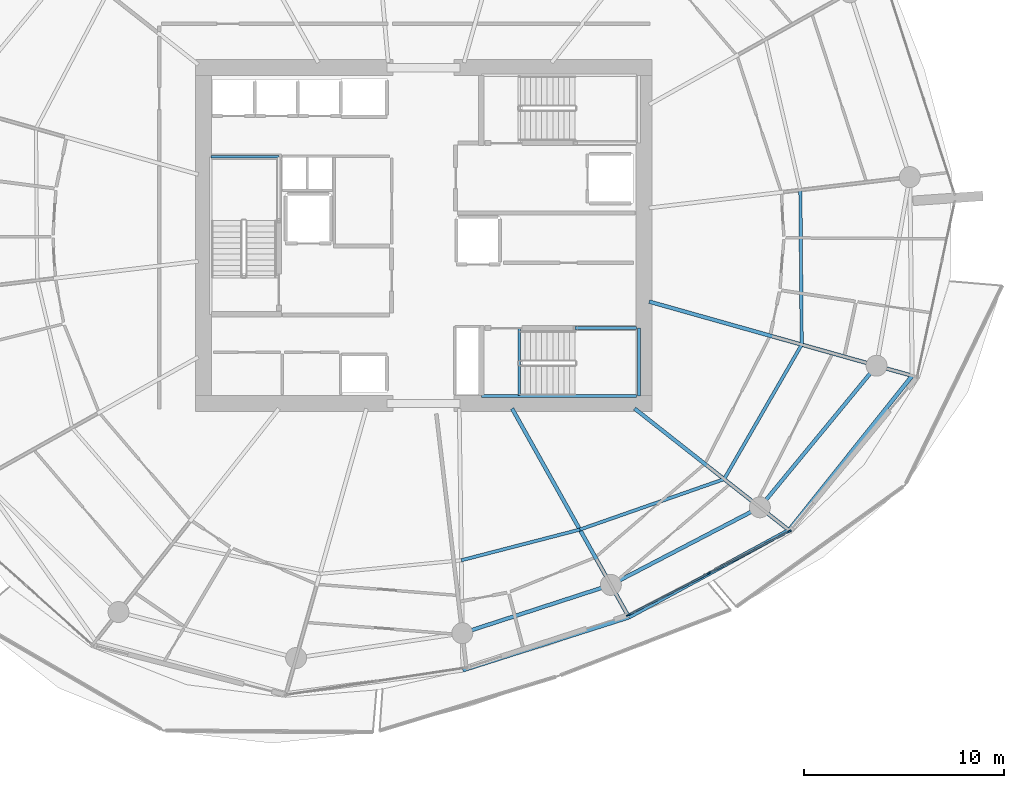
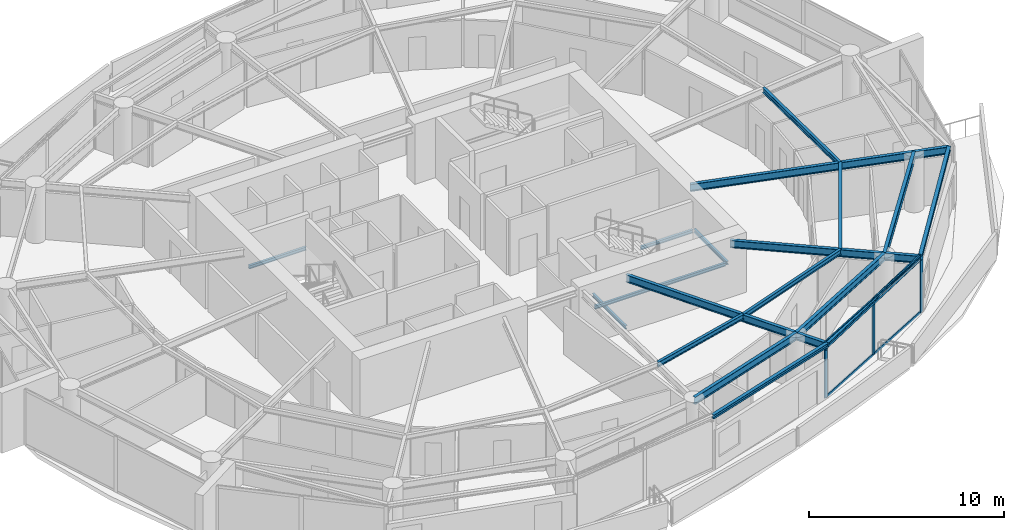
# One storey, part 6 of 20: 18 beams, 7 members, 1 element without a shape of its own.
"""IFC4 building model written with IfcOpenShell, lengths in metres."""

from ifc_helpers import new_model, si_unit, direction, frame, origin, origin_2d, place, context, subcontext, project, spatial, rectangle, i_section, extrude, material, layer, layer_set, material_profile, profile_set, type_object, element, aggregate, save


model = new_model("IFC4")

# Units and contexts
model_context = context("Model", 3, precision=1e-05, world=origin(), true_north=direction((0.0, 1.0)))
body_context = subcontext(model_context, "Body", "Model", "MODEL_VIEW")
ifc_project = project(units=[si_unit("LENGTHUNIT", "METRE"), si_unit("AREAUNIT", "SQUARE_METRE"), si_unit("VOLUMEUNIT", "CUBIC_METRE"), si_unit("PLANEANGLEUNIT", "RADIAN"), si_unit("MASSUNIT", "GRAM", prefix="KILO")], contexts=[model_context])

# Site, building, storey
site_placement = place(None, origin())
site = spatial("IfcSite", under=ifc_project, at=site_placement, CompositionType="ELEMENT")
building_placement = place(site_placement, origin())
building = spatial("IfcBuilding", under=site, at=building_placement, Name="Kazma Halo Residences", CompositionType="ELEMENT")
storey_placement = place(building_placement, frame((0.0, 0.0, 150.300048828125)))
storey = spatial("IfcBuildingStorey", under=building, at=storey_placement, Name="L37", CompositionType="ELEMENT", Elevation=150.300048828125)

# Beams
ifc_material_1 = material(Name="Steel S355", Category="steel")
ifc_material_profile_1 = material_profile(ifc_material_1, i_section(OverallWidth=0.201904296875, OverallDepth=0.2470703125, WebThickness=0.00732421875, FlangeThickness=0.010986328125, FilletRadius=0.011962890625, at=origin_2d()), Name="W250x49.1")
ifc_profile_set_1 = profile_set([ifc_material_profile_1], Name="Steel S355")
beam_type_1 = type_object("IfcBeamType", Name="BM-BAL-CANT", PredefinedType="BEAM", material=ifc_profile_set_1)
beam_1_placement = place(storey_placement, frame((50.37841796875, 20.269287109375, 3.37646484375), z_axis=(0.952724066304, 0.303836886315, 0.0), x_axis=(-0.303836886315, 0.952724066304, 0.0)))
element("IfcBeam", 1, at=beam_1_placement, inside=storey, type_object=beam_type_1, Name="L37 wave-balcony tie beam 12", PredefinedType="BEAM", context=body_context, shape_type="SweptSolid", body=[
    extrude(i_section(OverallWidth=0.201904296875, OverallDepth=0.2470703125, WebThickness=0.00732421875, FlangeThickness=0.010986328125, FilletRadius=0.011962890625, at=origin_2d()), origin(), (0.0, 0.0, 1.0), 8.719970703125),
])
beam_2_placement = place(storey_placement, frame((58.68603515625, 22.918701171875, 3.37646484375), z_axis=(0.878572913315, 0.477608245312, 0.0), x_axis=(-0.477608245312, 0.878572913315, 0.0)))
element("IfcBeam", 2, at=beam_2_placement, inside=storey, type_object=beam_type_1, Name="L37 wave-balcony tie beam 13", PredefinedType="BEAM", context=body_context, shape_type="SweptSolid", body=[
    extrude(i_section(OverallWidth=0.201904296875, OverallDepth=0.2470703125, WebThickness=0.00732421875, FlangeThickness=0.010986328125, FilletRadius=0.011962890625, at=origin_2d()), origin(), (0.0, 0.0, 1.0), 9.107177734375),
])
beam_3_placement = place(storey_placement, frame((66.687255859375, 27.268310546875, 3.37646484375), z_axis=(0.623742400336, 0.781629975131, 0.0), x_axis=(-0.781629975131, 0.623742400336, 0.0)))
element("IfcBeam", 3, at=beam_3_placement, inside=storey, type_object=beam_type_1, Name="L37 wave-balcony tie beam 14", PredefinedType="BEAM", context=body_context, shape_type="SweptSolid", body=[
    extrude(i_section(OverallWidth=0.201904296875, OverallDepth=0.2470703125, WebThickness=0.00732421875, FlangeThickness=0.010986328125, FilletRadius=0.011962890625, at=origin_2d()), origin(), (0.0, 0.0, 1.0), 9.880859375),
])
ifc_material_profile_2 = material_profile(ifc_material_1, i_section(OverallWidth=0.18994140625, OverallDepth=0.45703125, WebThickness=0.009033203125, FlangeThickness=0.014404296875, FilletRadius=0.01611328125, at=origin_2d()), Name="W460x74")
ifc_profile_set_2 = profile_set([ifc_material_profile_2], Name="Steel S355")
beam_type_2 = type_object("IfcBeamType", Name="BM-RAD-W460", PredefinedType="BEAM", material=ifc_profile_set_2)
beam_4_placement = place(storey_placement, frame((52.84423828125, 33.35009765625, 3.271484375), z_axis=(0.488617048735, -0.872498355119, 0.0), x_axis=(0.872498355119, 0.488617048735, 0.0)))
element("IfcBeam", 4, at=beam_4_placement, inside=storey, type_object=beam_type_2, Name="L37 radial floor beam 13", PredefinedType="BEAM", context=body_context, shape_type="SweptSolid", body=[
    extrude(i_section(OverallWidth=0.18994140625, OverallDepth=0.45703125, WebThickness=0.009033203125, FlangeThickness=0.014404296875, FilletRadius=0.01611328125, at=origin_2d()), origin(), (0.0, 0.0, 1.0), 11.955810546875),
])
beam_5_placement = place(storey_placement, frame((58.972412109375, 33.35009765625, 3.271484375), z_axis=(0.785322142498, -0.619087338347, 0.0), x_axis=(0.619087338347, 0.785322142498, 0.0)))
element("IfcBeam", 5, at=beam_5_placement, inside=storey, type_object=beam_type_2, Name="L37 radial floor beam 14", PredefinedType="BEAM", context=body_context, shape_type="SweptSolid", body=[
    extrude(i_section(OverallWidth=0.18994140625, OverallDepth=0.45703125, WebThickness=0.009033203125, FlangeThickness=0.014404296875, FilletRadius=0.01611328125, at=origin_2d()), origin(), (0.0, 0.0, 1.0), 9.82373046875),
])
beam_6_placement = place(storey_placement, frame((59.699951171875, 38.7001953125, 3.271484375), z_axis=(0.962456259321, -0.271436823024, 0.0), x_axis=(0.271436823024, 0.962456259321, 0.0)))
element("IfcBeam", 6, at=beam_6_placement, inside=storey, type_object=beam_type_2, Name="L37 radial floor beam 15", PredefinedType="BEAM", context=body_context, shape_type="SweptSolid", body=[
    extrude(i_section(OverallWidth=0.18994140625, OverallDepth=0.45703125, WebThickness=0.009033203125, FlangeThickness=0.014404296875, FilletRadius=0.01611328125, at=origin_2d()), origin(), (0.0, 0.0, 1.0), 13.663330078125),
])
ifc_material_profile_3 = material_profile(ifc_material_1, i_section(OverallWidth=0.1650390625, OverallDepth=0.31005859375, WebThickness=0.005859375, FlangeThickness=0.009765625, FilletRadius=0.011962890625, at=origin_2d()), Name="W310x38.7")
ifc_profile_set_3 = profile_set([ifc_material_profile_3], Name="Steel S355")
beam_type_3 = type_object("IfcBeamType", Name="BM-SEC-W310B", PredefinedType="JOIST", material=ifc_profile_set_3)
beam_7_placement = place(storey_placement, frame((50.303466796875, 25.76318359375, 3.344970703125), z_axis=(0.968017337658, 0.250883307524, 0.0), x_axis=(-0.250883307524, 0.968017337658, 0.0)))
element("IfcBeam", 7, at=beam_7_placement, inside=storey, type_object=beam_type_3, Name="L37 circumferential floor joist 12", PredefinedType="JOIST", context=body_context, shape_type="SweptSolid", body=[
    extrude(i_section(OverallWidth=0.1650390625, OverallDepth=0.31005859375, WebThickness=0.005859375, FlangeThickness=0.009765625, FilletRadius=0.011962890625, at=origin_2d()), origin(), (0.0, 0.0, 1.0), 6.124755859375),
])
beam_8_placement = place(storey_placement, frame((56.232421875, 27.2998046875, 3.344970703125), z_axis=(0.943956421223, 0.330070105935, 0.0), x_axis=(-0.330070105935, 0.943956421223, 0.0)))
element("IfcBeam", 8, at=beam_8_placement, inside=storey, type_object=beam_type_3, Name="L37 circumferential floor joist 13", PredefinedType="JOIST", context=body_context, shape_type="SweptSolid", body=[
    extrude(i_section(OverallWidth=0.1650390625, OverallDepth=0.31005859375, WebThickness=0.005859375, FlangeThickness=0.009765625, FilletRadius=0.011962890625, at=origin_2d()), origin(), (0.0, 0.0, 1.0), 7.642822265625),
])
beam_9_placement = place(storey_placement, frame((63.447021484375, 29.822509765625, 3.344970703125), z_axis=(0.499666203496, 0.866218035533, 0.0), x_axis=(-0.866218035533, 0.499666203496, 0.0)))
element("IfcBeam", 9, at=beam_9_placement, inside=storey, type_object=beam_type_3, Name="L37 circumferential floor joist 14", PredefinedType="JOIST", context=body_context, shape_type="SweptSolid", body=[
    extrude(i_section(OverallWidth=0.1650390625, OverallDepth=0.31005859375, WebThickness=0.005859375, FlangeThickness=0.009765625, FilletRadius=0.011962890625, at=origin_2d()), origin(), (0.0, 0.0, 1.0), 7.765380859375),
])
beam_10_placement = place(storey_placement, frame((67.3271484375, 36.549072265625, 3.344970703125), z_axis=(-0.008779348348, 0.999961460779, 0.0), x_axis=(-0.999961460779, -0.008779348348, 0.0)))
element("IfcBeam", 10, at=beam_10_placement, inside=storey, type_object=beam_type_3, Name="L37 circumferential floor joist 15", PredefinedType="JOIST", context=body_context, shape_type="SweptSolid", body=[
    extrude(i_section(OverallWidth=0.1650390625, OverallDepth=0.31005859375, WebThickness=0.005859375, FlangeThickness=0.009765625, FilletRadius=0.011962890625, at=origin_2d()), origin(), (0.0, 0.0, 1.0), 7.730712890625),
])
ifc_material_profile_4 = material_profile(ifc_material_1, i_section(OverallWidth=0.18994140625, OverallDepth=0.45703125, WebThickness=0.009033203125, FlangeThickness=0.014404296875, FilletRadius=0.01611328125, at=origin_2d()), Name="W460x74")
ifc_profile_set_4 = profile_set([ifc_material_profile_4], Name="Steel S355")
beam_type_4 = type_object("IfcBeamType", Name="BM-SPN-W460", PredefinedType="BEAM", material=ifc_profile_set_4)
beam_11_placement = place(storey_placement, frame((50.35302734375, 22.118896484375, 3.271484375), z_axis=(0.95105634578, 0.309017519167, 0.0), x_axis=(-0.309017519167, 0.95105634578, 0.0)))
element("IfcBeam", 11, at=beam_11_placement, inside=storey, type_object=beam_type_4, Name="L37 perimeter ring beam 12", PredefinedType="BEAM", context=body_context, shape_type="SweptSolid", body=[
    extrude(i_section(OverallWidth=0.18994140625, OverallDepth=0.45703125, WebThickness=0.009033203125, FlangeThickness=0.014404296875, FilletRadius=0.01611328125, at=origin_2d()), origin(), (0.0, 0.0, 1.0), 7.811279296875),
])
beam_12_placement = place(storey_placement, frame((57.781982421875, 24.53271484375, 3.271484375), z_axis=(0.886943099021, 0.461878706046, 0.0), x_axis=(-0.461878706046, 0.886943099021, 0.0)))
element("IfcBeam", 12, at=beam_12_placement, inside=storey, type_object=beam_type_4, Name="L37 perimeter ring beam 13", PredefinedType="BEAM", context=body_context, shape_type="SweptSolid", body=[
    extrude(i_section(OverallWidth=0.18994140625, OverallDepth=0.45703125, WebThickness=0.009033203125, FlangeThickness=0.014404296875, FilletRadius=0.01611328125, at=origin_2d()), origin(), (0.0, 0.0, 1.0), 8.40234375),
])
beam_13_placement = place(storey_placement, frame((65.234375, 28.41357421875, 3.271484375), z_axis=(0.636018723515, 0.771673624882, 0.0), x_axis=(-0.771673624882, 0.636018723515, 0.0)))
element("IfcBeam", 13, at=beam_13_placement, inside=storey, type_object=beam_type_4, Name="L37 perimeter ring beam 14", PredefinedType="BEAM", context=body_context, shape_type="SweptSolid", body=[
    extrude(i_section(OverallWidth=0.18994140625, OverallDepth=0.45703125, WebThickness=0.009033203125, FlangeThickness=0.014404296875, FilletRadius=0.01611328125, at=origin_2d()), origin(), (0.0, 0.0, 1.0), 9.175048828125),
])
ifc_material_profile_5 = material_profile(ifc_material_1, i_section(OverallWidth=0.133056640625, OverallDepth=0.20703125, WebThickness=0.005859375, FlangeThickness=0.00830078125, FilletRadius=0.010009765625, at=origin_2d()), Name="W200x26.6")
ifc_profile_set_5 = profile_set([ifc_material_profile_5], Name="Steel S355")
beam_type_5 = type_object("IfcBeamType", Name="BM-TRIM-W200", PredefinedType="BEAM", material=ifc_profile_set_5)
beam_14_placement = place(storey_placement, frame((53.199951171875, 34.0, -0.360107421875), z_axis=(0.0, 1.0, 0.0), x_axis=(-1.0, 0.0, 0.0)))
element("IfcBeam", 14, at=beam_14_placement, inside=storey, type_object=beam_type_5, Name="L37 ST-03 floor landing support beam", PredefinedType="BEAM", context=body_context, shape_type="SweptSolid", body=[
    extrude(i_section(OverallWidth=0.133056640625, OverallDepth=0.20703125, WebThickness=0.005859375, FlangeThickness=0.00830078125, FilletRadius=0.010009765625, at=origin_2d()), origin(), (0.0, 0.0, 1.0), 3.3798828125),
])
beam_15_placement = place(storey_placement, frame((37.780029296875, 45.93994140625, 1.570068359375), z_axis=(1.0, 0.0, 0.0), x_axis=(0.0, 1.0, 0.0)))
element("IfcBeam", 15, at=beam_15_placement, inside=storey, type_object=beam_type_5, Name="L37 ST-01 landing end wall ledger", PredefinedType="BEAM", context=body_context, shape_type="SweptSolid", body=[
    extrude(i_section(OverallWidth=0.133056640625, OverallDepth=0.20703125, WebThickness=0.005859375, FlangeThickness=0.00830078125, FilletRadius=0.010009765625, at=origin_2d()), origin(), (0.0, 0.0, 1.0), 3.39990234375),
])
beam_16_placement = place(storey_placement, frame((51.31005859375, 33.97998046875, 1.570068359375), z_axis=(1.0, 0.0, 0.0), x_axis=(0.0, 1.0, 0.0)))
element("IfcBeam", 16, at=beam_16_placement, inside=storey, type_object=beam_type_5, Name="L37 ST-03 landing south wall ledger", PredefinedType="BEAM", context=body_context, shape_type="SweptSolid", body=[
    extrude(i_section(OverallWidth=0.133056640625, OverallDepth=0.20703125, WebThickness=0.005859375, FlangeThickness=0.00830078125, FilletRadius=0.010009765625, at=origin_2d()), origin(), (0.0, 0.0, 1.0), 7.760009765625),
])
beam_17_placement = place(storey_placement, frame((56.0, 37.3798828125, 1.570068359375), z_axis=(1.0, 0.0, 0.0), x_axis=(0.0, 1.0, 0.0)))
element("IfcBeam", 17, at=beam_17_placement, inside=storey, type_object=beam_type_5, Name="L37 ST-03 landing north wall ledger", PredefinedType="BEAM", context=body_context, shape_type="SweptSolid", body=[
    extrude(i_section(OverallWidth=0.133056640625, OverallDepth=0.20703125, WebThickness=0.005859375, FlangeThickness=0.00830078125, FilletRadius=0.010009765625, at=origin_2d()), origin(), (0.0, 0.0, 1.0), 3.070068359375),
])
beam_18_placement = place(storey_placement, frame((59.18994140625, 33.97998046875, 1.570068359375), z_axis=(0.0, 1.0, 0.0), x_axis=(-1.0, 0.0, 0.0)))
element("IfcBeam", 18, at=beam_18_placement, inside=storey, type_object=beam_type_5, Name="L37 ST-03 landing end wall ledger", PredefinedType="BEAM", context=body_context, shape_type="SweptSolid", body=[
    extrude(i_section(OverallWidth=0.133056640625, OverallDepth=0.20703125, WebThickness=0.005859375, FlangeThickness=0.00830078125, FilletRadius=0.010009765625, at=origin_2d()), origin(), (0.0, 0.0, 1.0), 3.39990234375),
])

# Curtain wall, members
ifc_material_2 = material(Name="Aluminium AW-6063 T6 and Triple-Silver Low-E Glass", Category="aluminium")
ifc_layer = layer(ifc_material_2, 0.219970703125)
ifc_layer_set = layer_set([ifc_layer], Name="Aluminium AW-6063 T6 and Triple-Silver Low-E Glass")
curtain_wall_type = type_object("IfcCurtainWallType", Name="CW-SYS-4", PredefinedType="NOTDEFINED", material=ifc_layer_set)
curtain_wall_placement = place(storey_placement, origin())
curtain_wall = element("IfcCurtainWall", 19, at=curtain_wall_placement, inside=storey, type_object=curtain_wall_type, Name="L37 unitised curtain wall B13", PredefinedType="NOTDEFINED")
ifc_material_3 = material(Name="Aluminium AW-6063 T6", Category="aluminium")
ifc_material_profile_6 = material_profile(ifc_material_3, rectangle(XDim=0.074951171875, YDim=0.219970703125, at=origin_2d()), Name="CWM-75x220")
ifc_profile_set_6 = profile_set([ifc_material_profile_6], Name="Aluminium AW-6063 T6")
member_type_1 = type_object("IfcMemberType", Name="CW-SYS-4-MUL", PredefinedType="MULLION", material=ifc_profile_set_6)
member_1_placement = place(storey_placement, frame((58.66552734375, 23.0322265625, 0.0), z_axis=(0.0, 0.0, 1.0), x_axis=(-0.460837484552, 0.887484542306, 0.0)))
member_1 = element("IfcMember", 20, at=member_1_placement, type_object=member_type_1, Name="CWS-4 mullion 1", PredefinedType="MULLION", context=body_context, shape_type="SweptSolid", body=[
    extrude(rectangle(XDim=0.074951171875, YDim=0.219970703125, at=origin_2d()), origin(), (0.0, 0.0, 1.0), 3.5),
])
member_2_placement = place(storey_placement, frame((62.686767578125, 25.120361328125, 0.0), z_axis=(0.0, 0.0, 1.0), x_axis=(-0.460837484552, 0.887484542306, 0.0)))
member_2 = element("IfcMember", 21, at=member_2_placement, type_object=member_type_1, Name="CWS-4 mullion 2", PredefinedType="MULLION", context=body_context, shape_type="SweptSolid", body=[
    extrude(rectangle(XDim=0.074951171875, YDim=0.219970703125, at=origin_2d()), origin(), (0.0, 0.0, 1.0), 3.5),
])
member_3_placement = place(storey_placement, frame((66.7080078125, 27.208251953125, 0.0), z_axis=(0.0, 0.0, 1.0), x_axis=(-0.460837484552, 0.887484542306, 0.0)))
member_3 = element("IfcMember", 22, at=member_3_placement, type_object=member_type_1, Name="CWS-4 mullion 3", PredefinedType="MULLION", context=body_context, shape_type="SweptSolid", body=[
    extrude(rectangle(XDim=0.074951171875, YDim=0.219970703125, at=origin_2d()), origin(), (0.0, 0.0, 1.0), 3.5),
])
ifc_material_profile_7 = material_profile(ifc_material_3, rectangle(XDim=0.074951171875, YDim=0.1650390625, at=origin_2d()), Name="CWT-75x165")
ifc_profile_set_7 = profile_set([ifc_material_profile_7], Name="Aluminium AW-6063 T6")
member_type_2 = type_object("IfcMemberType", Name="CW-SYS-4-TRN", PredefinedType="USERDEFINED", material=ifc_profile_set_7)
member_4_placement = place(storey_placement, frame((58.69873046875, 23.049560546875, 0.037353515625), z_axis=(0.887484872803, 0.460836848077, 0.0), x_axis=(-0.460836848077, 0.887484872803, 0.0)))
member_4 = element("IfcMember", 23, at=member_4_placement, type_object=member_type_2, Name="CWS-4 transom 1.1", ObjectType="TRANSOM", PredefinedType="USERDEFINED", context=body_context, shape_type="SweptSolid", body=[
    extrude(rectangle(XDim=0.074951171875, YDim=0.1650390625, at=origin_2d()), origin(), (0.0, 0.0, 1.0), 4.4560546875),
])
member_5_placement = place(storey_placement, frame((58.69873046875, 23.049560546875, 3.46240234375), z_axis=(0.887484872803, 0.460836848077, 0.0), x_axis=(-0.460836848077, 0.887484872803, 0.0)))
member_5 = element("IfcMember", 24, at=member_5_placement, type_object=member_type_2, Name="CWS-4 transom 1.2", ObjectType="TRANSOM", PredefinedType="USERDEFINED", context=body_context, shape_type="SweptSolid", body=[
    extrude(rectangle(XDim=0.074951171875, YDim=0.1650390625, at=origin_2d()), origin(), (0.0, 0.0, 1.0), 4.4560546875),
])
member_6_placement = place(storey_placement, frame((62.719970703125, 25.137451171875, 0.037353515625), z_axis=(0.887484872803, 0.460836848077, 0.0), x_axis=(-0.460836848077, 0.887484872803, 0.0)))
member_6 = element("IfcMember", 25, at=member_6_placement, type_object=member_type_2, Name="CWS-4 transom 2.1", ObjectType="TRANSOM", PredefinedType="USERDEFINED", context=body_context, shape_type="SweptSolid", body=[
    extrude(rectangle(XDim=0.074951171875, YDim=0.1650390625, at=origin_2d()), origin(), (0.0, 0.0, 1.0), 4.4560546875),
])
member_7_placement = place(storey_placement, frame((62.719970703125, 25.137451171875, 3.46240234375), z_axis=(0.887484872803, 0.460836848077, 0.0), x_axis=(-0.460836848077, 0.887484872803, 0.0)))
member_7 = element("IfcMember", 26, at=member_7_placement, type_object=member_type_2, Name="CWS-4 transom 2.2", ObjectType="TRANSOM", PredefinedType="USERDEFINED", context=body_context, shape_type="SweptSolid", body=[
    extrude(rectangle(XDim=0.074951171875, YDim=0.1650390625, at=origin_2d()), origin(), (0.0, 0.0, 1.0), 4.4560546875),
])
aggregate(curtain_wall, [member_1, member_2, member_3, member_4, member_5, member_6, member_7])

save(model, "model.ifc")
